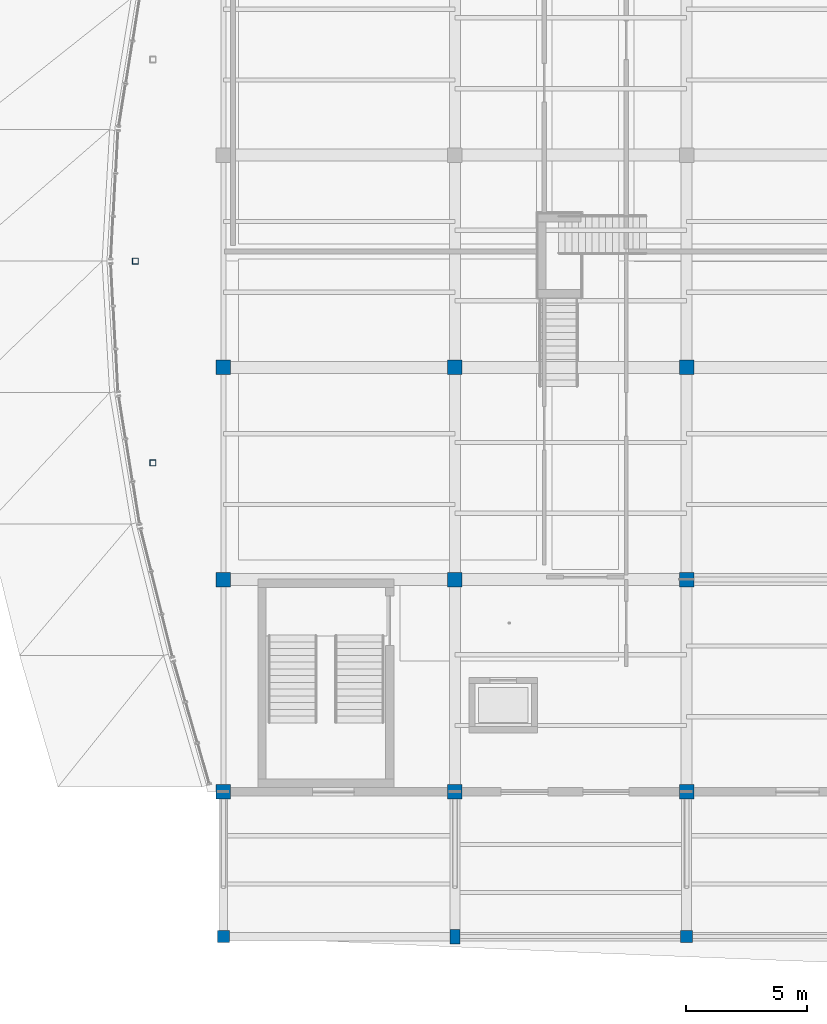
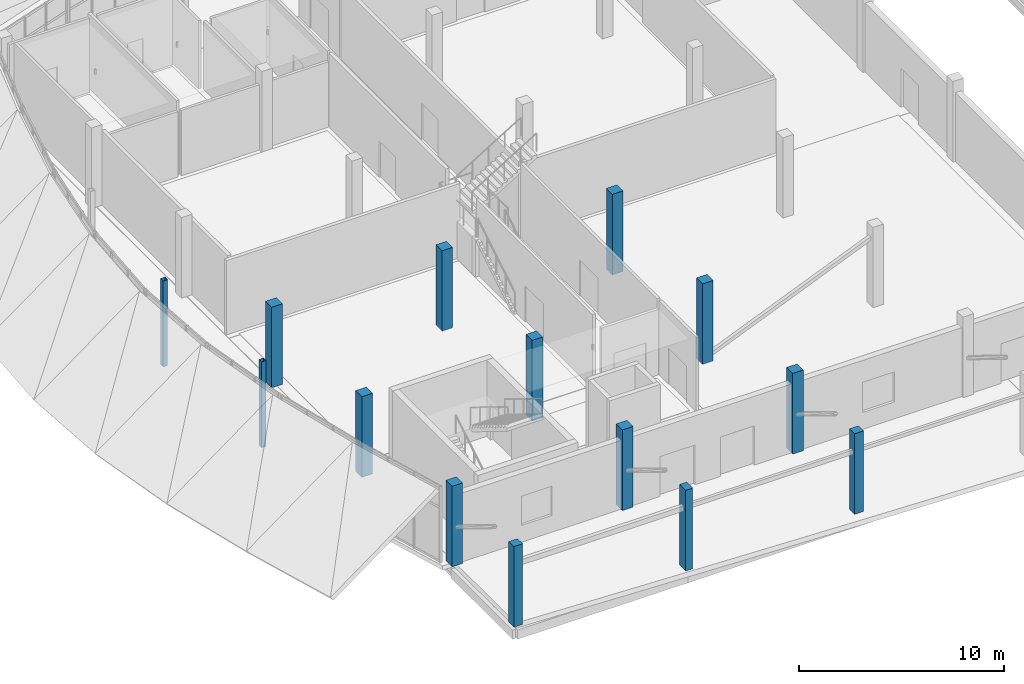
# One storey, part 1 of 116: 14 columns.
"""IFC4 building model written with IfcOpenShell, lengths in metres."""

from ifc_helpers import new_model, si_unit, direction, frame, origin, origin_2d, place, context, subcontext, project, spatial, rectangle, hollow_rectangle, extrude, material, material_profile, profile_set, type_object, element, save


model = new_model("IFC4")

# Units and contexts
model_context = context("Model", 3, precision=1e-05, world=origin(), true_north=direction((0.0, 1.0)))
body_context = subcontext(model_context, "Body", "Model", "MODEL_VIEW")
ifc_project = project(units=[si_unit("LENGTHUNIT", "METRE"), si_unit("AREAUNIT", "SQUARE_METRE"), si_unit("VOLUMEUNIT", "CUBIC_METRE"), si_unit("PLANEANGLEUNIT", "RADIAN"), si_unit("MASSUNIT", "GRAM", prefix="KILO")], contexts=[model_context])

# Site, building, storey
site_placement = place(None, origin())
site = spatial("IfcSite", under=ifc_project, at=site_placement, CompositionType="ELEMENT")
building_placement = place(site_placement, origin())
building = spatial("IfcBuilding", under=site, at=building_placement, Name="Chalmorin Arch Market", CompositionType="ELEMENT")
storey_placement = place(building_placement, origin())
storey = spatial("IfcBuildingStorey", under=building, at=storey_placement, Name="L00", CompositionType="ELEMENT", Elevation=0.0)

# Columns
ifc_material_1 = material(Name="Concrete C40/50", Category="concrete")
ifc_material_profile_1 = material_profile(ifc_material_1, rectangle(XDim=0.5, YDim=0.5, at=origin_2d()), Name="RC500X500")
ifc_profile_set_1 = profile_set([ifc_material_profile_1], Name="Concrete C40/50")
column_type_1 = type_object("IfcColumnType", Name="ColonnadePilaster-500x500", PredefinedType="PILASTER", material=ifc_profile_set_1)
for number, where, z_axis, x_axis, name in (
    (1, (0.0, 0.0, 0.0), (0.0, 0.0, 1.0), (1.0, 0.0, 0.0), "CP-01-002"),
    (2, (19.199951171875, 0.0, 0.0), (0.0, 0.0, 1.0), (1.0, 0.0, 0.0), "CP-01-078"),
):
    element("IfcColumn", number, at=place(storey_placement, frame(where, z_axis=z_axis, x_axis=x_axis)), inside=storey, type_object=column_type_1, Name=name, PredefinedType="PILASTER", context=body_context, shape_type="SweptSolid", body=[
        extrude(rectangle(XDim=0.5, YDim=0.5, at=origin_2d()), origin(), (0.0, 0.0, 1.0), 4.800048828125),
    ])
ifc_material_profile_2 = material_profile(ifc_material_1, rectangle(XDim=0.60009765625, YDim=0.60009765625, at=origin_2d()), Name="RC600X600")
ifc_profile_set_2 = profile_set([ifc_material_profile_2], Name="Concrete C40/50")
column_type_2 = type_object("IfcColumnType", Name="InteriorConcreteColumn-600x600", PredefinedType="COLUMN", material=ifc_profile_set_2)
for number, where, z_axis, x_axis, name in (
    (3, (0.0, 6.0, 0.0), (0.0, 0.0, 1.0), (1.0, 0.0, 0.0), "C-RC2-004"),
    (4, (0.0, 14.800048828125, 0.0), (0.0, 0.0, 1.0), (1.0, 0.0, 0.0), "C-RC2-008"),
    (5, (0.0, 23.60009765625, 0.0), (0.0, 0.0, 1.0), (1.0, 0.0, 0.0), "C-RC2-012"),
    (6, (9.60009765625, 6.0, 0.0), (0.0, 0.0, 1.0), (1.0, 0.0, 0.0), "C-RC2-042"),
    (7, (9.60009765625, 14.800048828125, 0.0), (0.0, 0.0, 1.0), (1.0, 0.0, 0.0), "C-RC2-046"),
    (8, (9.60009765625, 23.60009765625, 0.0), (0.0, 0.0, 1.0), (1.0, 0.0, 0.0), "C-RC2-050"),
    (9, (19.199951171875, 6.0, 0.0), (0.0, 0.0, 1.0), (1.0, 0.0, 0.0), "C-RC2-080"),
    (10, (19.199951171875, 14.800048828125, 0.0), (0.0, 0.0, 1.0), (1.0, 0.0, 0.0), "C-RC2-083"),
    (11, (19.199951171875, 23.60009765625, 0.0), (0.0, 0.0, 1.0), (1.0, 0.0, 0.0), "C-RC2-087"),
):
    element("IfcColumn", number, at=place(storey_placement, frame(where, z_axis=z_axis, x_axis=x_axis)), inside=storey, type_object=column_type_2, Name=name, PredefinedType="COLUMN", context=body_context, shape_type="SweptSolid", body=[
        extrude(rectangle(XDim=0.60009765625, YDim=0.60009765625, at=origin_2d()), origin(), (0.0, 0.0, 1.0), 4.800048828125),
    ])
ifc_material_profile_3 = material_profile(ifc_material_1, rectangle(XDim=0.39990234375, YDim=0.60009765625, at=origin_2d()), Name="RC400X600")
ifc_profile_set_3 = profile_set([ifc_material_profile_3], Name="Concrete C40/50")
column_type_3 = type_object("IfcColumnType", Name="PromenadePilaster-400x600", PredefinedType="PILASTER", material=ifc_profile_set_3)
column_placement = place(storey_placement, frame((9.60009765625, 0.0, 0.0), z_axis=(0.0, 0.0, 1.0), x_axis=(1.0, 0.0, 0.0)))
element("IfcColumn", 12, at=column_placement, inside=storey, type_object=column_type_3, Name="CP-02-040", PredefinedType="PILASTER", context=body_context, shape_type="SweptSolid", body=[
    extrude(rectangle(XDim=0.39990234375, YDim=0.60009765625, at=origin_2d()), origin(), (0.0, 0.0, 1.0), 4.800048828125),
])
ifc_material_2 = material(Name="Steel A500 Grade C", Category="steel")
ifc_material_profile_4 = material_profile(ifc_material_2, hollow_rectangle(XDim=0.25390625, YDim=0.25390625, WallThickness=0.01171875, at=origin_2d()), Name="HSS10X10X1/2")
ifc_profile_set_4 = profile_set([ifc_material_profile_4], Name="Steel A500 Grade C")
column_type_4 = type_object("IfcColumnType", Name="SteelTubeColumn-HSS10X10", PredefinedType="COLUMN", material=ifc_profile_set_4)
for number, where, z_axis, x_axis, name in (
    (13, (-2.924072265625, 19.639892578125, -0.320068359375), (0.0, 0.0, 1.0), (1.0, 0.0, 0.0), "C-HS2-686"),
    (14, (-3.64990234375, 28.0, -0.320068359375), (0.0, 0.0, 1.0), (1.0, 0.0, 0.0), "C-HS2-692"),
):
    element("IfcColumn", number, at=place(storey_placement, frame(where, z_axis=z_axis, x_axis=x_axis)), inside=storey, type_object=column_type_4, Name=name, PredefinedType="COLUMN", context=body_context, shape_type="SweptSolid", body=[
        extrude(hollow_rectangle(XDim=0.25390625, YDim=0.25390625, WallThickness=0.01171875, at=origin_2d()), origin(), (0.0, 0.0, 1.0), 5.1201171875),
    ])

save(model, "model.ifc")
